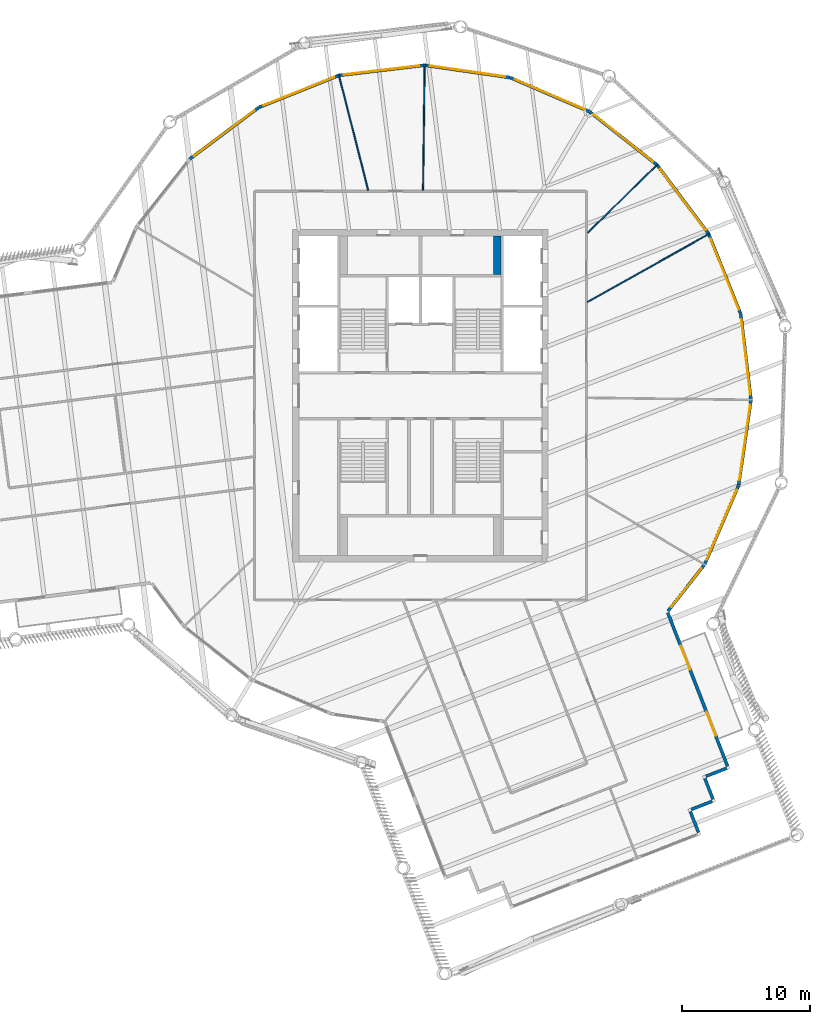
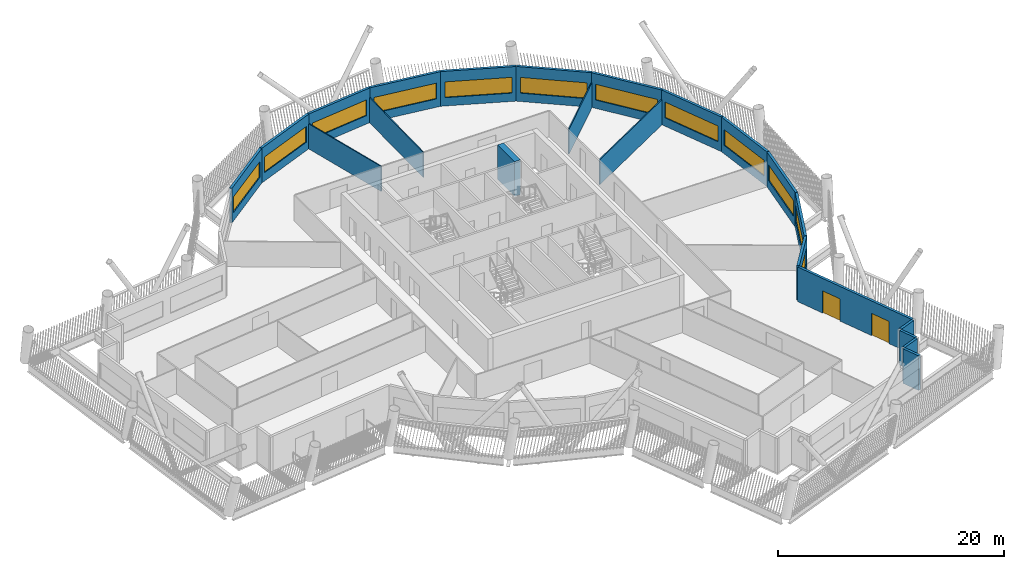
# One storey, part 6 of 20: 22 walls, 12 windows, 2 doors, 14 openings.
"""IFC4 building model written with IfcOpenShell, lengths in metres."""

import ifcopenshell
import ifcopenshell.guid

model = None  # the IFC model being written
_history = None  # IfcOwnerHistory: only IFC2X3 demands one
_inside = {}  # id of a spatial element -> (the spatial element, [elements in it])
_under = {}  # id of a project, library or spatial element -> (it, [spatial elements below it])
_declared = {}  # id of a project -> (the project, [libraries it declares])
_typed = {}  # id of a type object -> (the type object, [elements of that type])
_made_of = {}  # id of a material, layer set ... -> (it, [elements and type objects made of it])


def new_model(schema):
    """Start an empty IFC model of exactly this schema.

    Asked for "IFC4X3", IfcOpenShell would pick the latest addendum, in which some entities
    have other attributes; the version numbers below select the first issue.
    IFC2X3 requires an IfcOwnerHistory on every rooted entity: one is made here for all.
    """
    global model, _history
    if schema == "IFC4X3":
        model = ifcopenshell.file(schema_version=(4, 3, 0, 0))
    else:
        model = ifcopenshell.file(schema=schema)
    _inside.clear()
    _under.clear()
    _declared.clear()
    _typed.clear()
    _made_of.clear()
    _history = None
    if model.schema == "IFC2X3":
        org = make("IfcOrganization", Name="unknown")
        user = make(
            "IfcPersonAndOrganization",
            ThePerson=make("IfcPerson", FamilyName="unknown"),
            TheOrganization=org,
        )
        app = make(
            "IfcApplication",
            ApplicationDeveloper=org,
            Version="unknown",
            ApplicationFullName="unknown",
            ApplicationIdentifier="unknown",
        )
        _history = make(
            "IfcOwnerHistory",
            OwningUser=user,
            OwningApplication=app,
            ChangeAction="ADDED",
            CreationDate=0,
        )
    return model


def make(cls, **values):
    """One entity of the class cls with the attributes given. An attribute that is None is left unset."""
    return model.create_entity(
        cls, **{name: value for name, value in values.items() if value is not None}
    )


def rooted(cls, **values):
    """An entity with a GlobalId (a new one), such as an element, a storey or a relation."""
    return make(cls, GlobalId=ifcopenshell.guid.new(), OwnerHistory=_history, **values)


def si_unit(unit_type, name, prefix=None):
    """IfcSIUnit, for example si_unit("LENGTHUNIT", "METRE", prefix="MILLI")."""
    return make("IfcSIUnit", UnitType=unit_type, Prefix=prefix, Name=name)


def assignment(units):
    """IfcUnitAssignment: the units of a project."""
    return None if units is None else make("IfcUnitAssignment", Units=units)


def point(xyz):
    """IfcCartesianPoint."""
    return None if xyz is None else make("IfcCartesianPoint", Coordinates=xyz)


def direction(xyz):
    """IfcDirection."""
    return None if xyz is None else make("IfcDirection", DirectionRatios=xyz)


def frame(location, z_axis=None, x_axis=None):
    """IfcAxis2Placement3D, a coordinate frame: its origin and axes. An axis left out is left unset."""
    return make(
        "IfcAxis2Placement3D",
        Location=point(location),
        Axis=direction(z_axis),
        RefDirection=direction(x_axis),
    )


def frame_2d(location, x_axis=None):
    """IfcAxis2Placement2D, a coordinate frame in the plane: its origin and x axis."""
    return make(
        "IfcAxis2Placement2D", Location=point(location), RefDirection=direction(x_axis)
    )


def origin():
    """The frame at (0, 0, 0) with its axes left unset."""
    return frame((0.0, 0.0, 0.0))


def place(relative_to, where):
    """IfcLocalPlacement: puts the frame where relative to a parent placement (None: the world)."""
    return make(
        "IfcLocalPlacement", PlacementRelTo=relative_to, RelativePlacement=where
    )


def context(
    kind, dimensions, precision=None, world=None, true_north=None, identifier=None
):
    """IfcGeometricRepresentationContext, for example the 3D "Model" context."""
    return make(
        "IfcGeometricRepresentationContext",
        ContextIdentifier=identifier,
        ContextType=kind,
        CoordinateSpaceDimension=dimensions,
        Precision=precision,
        WorldCoordinateSystem=world,
        TrueNorth=true_north,
    )


def subcontext(parent, identifier, kind, view, scale=None):
    """IfcGeometricRepresentationSubContext, for example "Body" below "Model"."""
    return make(
        "IfcGeometricRepresentationSubContext",
        ContextIdentifier=identifier,
        ContextType=kind,
        ParentContext=parent,
        TargetScale=scale,
        TargetView=view,
    )


def project(units=None, contexts=None):
    """IfcProject with its units and contexts."""
    return rooted(
        "IfcProject",
        Name="project",
        RepresentationContexts=contexts,
        UnitsInContext=assignment(units),
    )


def spatial(cls, under=None, at=None, **own):
    """A site, building, storey or space (cls), placed at a placement, below another one or the project."""
    s = rooted(cls, ObjectPlacement=at, **own)
    if under is not None:
        _under.setdefault(under.id(), (under, []))[1].append(s)
    return s


def profile(cls, at=None, kind="AREA", **sizes):
    """A parametric profile (cls). Its sizes go by their IFC names, for example OverallWidth=200.0."""
    return make(cls, ProfileType=kind, Position=at, **sizes)


def rectangle(**sizes):
    """IfcRectangleProfileDef."""
    return profile("IfcRectangleProfileDef", **sizes)


def extrude(swept, where, along, depth):
    """IfcExtrudedAreaSolid: the profile swept, set in the frame where, extruded along a direction by depth."""
    return make(
        "IfcExtrudedAreaSolid",
        SweptArea=swept,
        Position=where,
        ExtrudedDirection=direction(along),
        Depth=depth,
    )


def shape(context_of_items, identifier, shape_type, items):
    """IfcShapeRepresentation: the items that make up one representation, for example the "Body"."""
    return make(
        "IfcShapeRepresentation",
        ContextOfItems=context_of_items,
        RepresentationIdentifier=identifier,
        RepresentationType=shape_type,
        Items=items,
    )


def material(Name=None, Category=None):
    """IfcMaterial."""
    return make("IfcMaterial", Name=Name, Category=Category)


def layer(
    of_material, thickness, ventilated=None, Name=None, Category=None, Priority=None
):
    """IfcMaterialLayer: one layer of a wall or slab, of a material (None: an air gap)."""
    return make(
        "IfcMaterialLayer",
        Material=of_material,
        LayerThickness=thickness,
        IsVentilated=ventilated,
        Name=Name,
        Category=Category,
        Priority=Priority,
    )


def layer_set(layers, Name=None):
    """IfcMaterialLayerSet."""
    return make("IfcMaterialLayerSet", MaterialLayers=layers, LayerSetName=Name)


def made_of(thing, what):
    """Note that an element or type object is made of a material, layer set ...; save() writes the relation."""
    if what is not None:
        _made_of.setdefault(what.id(), (what, []))[1].append(thing)
    return thing


def type_object(cls, material=None, **own):
    """A type object (cls), such as IfcWallType, which elements share."""
    return made_of(rooted(cls, **own), material)


def element(
    cls,
    number,
    at=None,
    inside=None,
    cuts=None,
    type_object=None,
    material=None,
    context=None,
    identifier="Body",
    shape_type=None,
    held_by="IfcProductDefinitionShape",
    body=None,
    shapes=None,
    **own,
):
    """One element of the class cls, such as IfcWall. Its Tag is "e" and its number.

    at: its placement. inside: the storey or other place that contains it. cuts: it is an
    opening in that element (IfcRelVoidsElement). A single representation is given by context,
    identifier, shape_type and body (its items); several are given by shapes. held_by: the class
    of the entity that holds the representations. save() writes the other relations.
    """
    e = rooted(cls, Tag="e%d" % number, ObjectPlacement=at, **own)
    if body is not None:
        shapes = [shape(context, identifier, shape_type, body)]
    if shapes is not None:
        e.Representation = make(held_by, Representations=shapes)
    if inside is not None:
        _inside.setdefault(inside.id(), (inside, []))[1].append(e)
    if cuts is not None:
        rooted(
            "IfcRelVoidsElement", RelatingBuildingElement=cuts, RelatedOpeningElement=e
        )
    if type_object is not None:
        _typed.setdefault(type_object.id(), (type_object, []))[1].append(e)
    return made_of(e, material)


def fill(opening, filler):
    """IfcRelFillsElement: the door or window that sits in an opening."""
    return rooted(
        "IfcRelFillsElement",
        RelatingOpeningElement=opening,
        RelatedBuildingElement=filler,
    )


def aggregate(whole, parts):
    """IfcRelAggregates: a whole, such as a stair, and the parts it consists of."""
    return rooted("IfcRelAggregates", RelatingObject=whole, RelatedObjects=parts)


def save(model, path):
    """Write the relations noted so far, then the file.

    IfcRelAggregates (storeys below a building ...), IfcRelContainedInSpatialStructure (elements
    in a storey), IfcRelDefinesByType, IfcRelAssociatesMaterial and IfcRelDeclares: one each for
    every whole, place, type object, material and project.
    """
    for whole, parts in _under.values():
        aggregate(whole, parts)
    for where, things in _inside.values():
        rooted(
            "IfcRelContainedInSpatialStructure",
            RelatedElements=things,
            RelatingStructure=where,
        )
    for kind, things in _typed.values():
        rooted("IfcRelDefinesByType", RelatedObjects=things, RelatingType=kind)
    for what, things in _made_of.values():
        rooted("IfcRelAssociatesMaterial", RelatedObjects=things, RelatingMaterial=what)
    for by, libraries in _declared.values():
        rooted("IfcRelDeclares", RelatingContext=by, RelatedDefinitions=libraries)
    model.write(path)


model = new_model("IFC4")

# Units and contexts
model_context = context("Model", 3, precision=1e-05, world=origin(), true_north=direction((0.0, 1.0)))
body_context = subcontext(model_context, "Body", "Model", "MODEL_VIEW")
ifc_project = project(units=[si_unit("LENGTHUNIT", "METRE"), si_unit("AREAUNIT", "SQUARE_METRE"), si_unit("VOLUMEUNIT", "CUBIC_METRE"), si_unit("PLANEANGLEUNIT", "RADIAN"), si_unit("MASSUNIT", "GRAM", prefix="KILO")], contexts=[model_context])

# Site, building, storey
site_placement = place(None, origin())
site = spatial("IfcSite", under=ifc_project, at=site_placement, CompositionType="ELEMENT")
building_placement = place(site_placement, origin())
building = spatial("IfcBuilding", under=site, at=building_placement, Name="Tarsis Ring Headquarters", CompositionType="ELEMENT")
storey_placement = place(building_placement, frame((0.0, 0.0, 315.800048828125)))
storey = spatial("IfcBuildingStorey", under=building, at=storey_placement, Name="L74", CompositionType="ELEMENT", Elevation=315.800048828125)

# Walls
ifc_material_1 = material(Name="Gypsum board on steel studs", Category="steel")
ifc_layer_1 = layer(ifc_material_1, 0.10009765625)
ifc_layer_set_1 = layer_set([ifc_layer_1], Name="FL partition 100 unrated")
wall_type_1 = type_object("IfcWallType", Name="FL partition 100 unrated", PredefinedType="PARTITIONING", material=ifc_layer_set_1)
wall_1_placement = place(storey_placement, frame((13.07861328125, 7.333251953125, 0.0), z_axis=(0.0, 0.0, 1.0), x_axis=(0.872240216113, 0.489077708953, 0.0)))
element("IfcWall", 1, at=wall_1_placement, inside=storey, type_object=wall_type_1, Name="Partition PW3", PredefinedType="PARTITIONING", context=body_context, shape_type="SweptSolid", body=[
    extrude(rectangle(XDim=10.95361328125, YDim=0.10009765625, at=frame_2d((5.476806640625, 0.0))), origin(), (0.0, 0.0, 1.0), 2.699951171875),
])
wall_2_placement = place(storey_placement, frame((0.201904296875, 16.070068359375, 0.0), z_axis=(0.0, 0.0, 1.0), x_axis=(0.012582129206, 0.999920841879, 0.0)))
element("IfcWall", 2, at=wall_2_placement, inside=storey, type_object=wall_type_1, Name="Partition PW3", PredefinedType="PARTITIONING", context=body_context, shape_type="SweptSolid", body=[
    extrude(rectangle(XDim=9.87646484375, YDim=0.10009765625, at=frame_2d((4.938232421875, 0.0))), origin(), (0.0, 0.0, 1.0), 2.699951171875),
])
wall_3_placement = place(storey_placement, frame((-6.400390625, 25.14599609375, 0.0), z_axis=(0.0, 0.0, 1.0), x_axis=(0.246678835611, -0.969097287202, 0.0)))
element("IfcWall", 3, at=wall_3_placement, inside=storey, type_object=wall_type_1, Name="Partition PW3", PredefinedType="PARTITIONING", context=body_context, shape_type="SweptSolid", body=[
    extrude(rectangle(XDim=9.36767578125, YDim=0.10009765625, at=frame_2d((4.683837890625, 0.0))), origin(), (0.0, 0.0, 1.0), 2.699951171875),
])
wall_4_placement = place(storey_placement, frame((13.0859375, 12.760986328125, 0.0), z_axis=(0.0, 0.0, 1.0), x_axis=(0.715916206475, 0.698186211054, 0.0)))
element("IfcWall", 4, at=wall_4_placement, inside=storey, type_object=wall_type_1, Name="Partition PW3", PredefinedType="PARTITIONING", context=body_context, shape_type="SweptSolid", body=[
    extrude(rectangle(XDim=7.669921875, YDim=0.10009765625, at=frame_2d((3.8349609375, 0.0))), origin(), (0.0, 0.0, 1.0), 2.699951171875),
])
ifc_material_2 = material(Name="Terracotta clad insulated panel wall", Category="masonry")
ifc_layer_2 = layer(ifc_material_2, 0.25)
ifc_layer_set_2 = layer_set([ifc_layer_2], Name="Facade wall terracotta panel 250")
wall_type_2 = type_object("IfcWallType", Name="Facade wall terracotta panel 250", PredefinedType="STANDARD", material=ifc_layer_set_2)
for number, where, z_axis, x_axis, name in (
    (5, (21.764404296875, -34.181640625, 0.0), (0.0, 0.0, 1.0), (-0.363004983999, 0.93178719759, 0.0), "External wall L74-12"),
    (6, (21.200439453125, -32.38916015625, 0.0), (0.0, 0.0, 1.0), (0.931834380437, 0.362883848408, 0.0), "External wall L74-13"),
    (7, (22.902099609375, -31.59228515625, 0.0), (0.0, 0.0, 1.0), (-0.362883848408, 0.931834380437, 0.0), "External wall L74-14"),
    (8, (22.338134765625, -29.7998046875, 0.0), (0.0, 0.0, 1.0), (0.93178719759, 0.363004983999, 0.0), "External wall L74-15"),
):
    element("IfcWall", number, at=place(storey_placement, frame(where, z_axis=z_axis, x_axis=x_axis)), inside=storey, type_object=wall_type_2, Name=name, PredefinedType="STANDARD", context=body_context, shape_type="SweptSolid", body=[
        extrude(rectangle(XDim=1.75, YDim=0.25, at=frame_2d((0.875, 0.0))), origin(), (0.0, 0.0, 1.0), 3.739990234375),
    ])

# Wall, openings, doors
wall_5_placement = place(storey_placement, frame((24.0400390625, -29.002685546875, 0.0), z_axis=(0.0, 0.0, 1.0), x_axis=(-0.362941173618, 0.931812054275, 0.0)))
wall_5 = element("IfcWall", 9, at=wall_5_placement, inside=storey, type_object=wall_type_2, Name="External wall L74-16", PredefinedType="STANDARD", context=body_context, shape_type="SweptSolid", body=[
    extrude(rectangle(XDim=12.901123046875, YDim=0.25, at=frame_2d((6.45068359375, 0.0))), origin(), (0.0, 0.0, 1.0), 3.739990234375),
])
opening_1_placement = place(wall_5_placement, frame((2.550048828125, 0.0, 0.0)))
opening_1 = element("IfcOpeningElement", 10, at=opening_1_placement, cuts=wall_5, Name="Opening L74-BD03", PredefinedType="OPENING", context=body_context, shape_type="SweptSolid", body=[
    extrude(rectangle(XDim=2.0, YDim=2.39990234375, at=frame_2d((1.0, 1.199951171875))), frame((0.0, 0.135009765625, 0.0), z_axis=(0.0, -1.0, 0.0), x_axis=(1.0, 0.0, 0.0)), (0.0, 0.0, 1.0), 0.27001953125),
])
opening_2_placement = place(wall_5_placement, frame((8.101318359375, 0.0, 0.0)))
opening_2 = element("IfcOpeningElement", 11, at=opening_2_placement, cuts=wall_5, Name="Opening L74-BD04", PredefinedType="OPENING", context=body_context, shape_type="SweptSolid", body=[
    extrude(rectangle(XDim=2.0, YDim=2.39990234375, at=frame_2d((1.0, 1.199951171875))), frame((0.0, 0.135009765625, 0.0), z_axis=(0.0, -1.0, 0.0), x_axis=(1.0, 0.0, 0.0)), (0.0, 0.0, 1.0), 0.27001953125),
])
ifc_material_3 = material(Name="Aluminium framed double glazing", Category="aluminium")
door_type = type_object("IfcDoorType", Name="Balcony sliding door 2000 x 2400", OperationType="SLIDING_TO_LEFT", PredefinedType="DOOR", material=ifc_material_3)
door_1_placement = place(opening_1_placement, origin())
door_1 = element("IfcDoor", 12, at=door_1_placement, inside=storey, type_object=door_type, Name="Door L74-BD03", OperationType="SINGLE_SWING_LEFT", OverallHeight=2.39990234375, OverallWidth=2.0, PredefinedType="DOOR", context=body_context, shape_type="SweptSolid", body=[
    extrude(rectangle(XDim=2.0, YDim=2.39990234375, at=frame_2d((1.0, 1.199951171875))), frame((0.0, 0.02490234375, 0.0), z_axis=(0.0, -1.0, 0.0), x_axis=(1.0, 0.0, 0.0)), (0.0, 0.0, 1.0), 0.050048828125),
])
fill(opening_1, door_1)
door_2_placement = place(opening_2_placement, origin())
door_2 = element("IfcDoor", 13, at=door_2_placement, inside=storey, type_object=door_type, Name="Door L74-BD04", OperationType="SINGLE_SWING_LEFT", OverallHeight=2.39990234375, OverallWidth=2.0, PredefinedType="DOOR", context=body_context, shape_type="SweptSolid", body=[
    extrude(rectangle(XDim=2.0, YDim=2.39990234375, at=frame_2d((1.0, 1.199951171875))), frame((0.0, 0.02490234375, 0.0), z_axis=(0.0, -1.0, 0.0), x_axis=(1.0, 0.0, 0.0)), (0.0, 0.0, 1.0), 0.050048828125),
])
fill(opening_2, door_2)

# Wall, opening, window
wall_6_placement = place(storey_placement, frame((19.3759765625, -16.8583984375, 0.0), z_axis=(0.0, 0.0, 1.0), x_axis=(0.618680439669, 0.785642739145, 0.0)))
wall_6 = element("IfcWall", 14, at=wall_6_placement, inside=storey, type_object=wall_type_2, Name="External wall L74-17", PredefinedType="STANDARD", context=body_context, shape_type="SweptSolid", body=[
    extrude(rectangle(XDim=4.61767578125, YDim=0.25, at=frame_2d((2.308837890625, 0.0))), origin(), (0.0, 0.0, 1.0), 3.739990234375),
])
opening_3_placement = place(wall_6_placement, frame((0.400390625, 0.0, 0.89990234375)))
opening_3 = element("IfcOpeningElement", 15, at=opening_3_placement, cuts=wall_6, Name="Opening WN02", PredefinedType="OPENING", context=body_context, shape_type="SweptSolid", body=[
    extrude(rectangle(XDim=3.85009765625, YDim=1.699951171875, at=frame_2d((1.925048828125, 0.85009765625))), frame((0.0, 0.135009765625, 0.0), z_axis=(0.0, -1.0, 0.0), x_axis=(1.0, 0.0, 0.0)), (0.0, 0.0, 1.0), 0.27001953125),
])
window_type_1 = type_object("IfcWindowType", Name="Facade window 3850 x 1700", PartitioningType="SINGLE_PANEL", PredefinedType="WINDOW", material=ifc_material_3)
window_1_placement = place(opening_3_placement, origin())
window_1 = element("IfcWindow", 16, at=window_1_placement, inside=storey, type_object=window_type_1, Name="Window L74-17.1", OverallHeight=1.699951171875, OverallWidth=3.85009765625, PartitioningType="SINGLE_PANEL", PredefinedType="WINDOW", context=body_context, shape_type="SweptSolid", body=[
    extrude(rectangle(XDim=3.85009765625, YDim=1.699951171875, at=frame_2d((1.925048828125, 0.85009765625))), frame((0.0, 0.030029296875, 0.0), z_axis=(0.0, -1.0, 0.0), x_axis=(1.0, 0.0, 0.0)), (0.0, 0.0, 1.0), 0.06005859375),
])
fill(opening_3, window_1)

wall_7_placement = place(storey_placement, frame((22.24951171875, -13.202392578125, 0.0), z_axis=(0.0, 0.0, 1.0), x_axis=(0.394278734128, 0.91899090301, 0.0)))
wall_7 = element("IfcWall", 17, at=wall_7_placement, inside=storey, type_object=wall_type_2, Name="External wall L74-18", PredefinedType="STANDARD", context=body_context, shape_type="SweptSolid", body=[
    extrude(rectangle(XDim=6.721435546875, YDim=0.25, at=frame_2d((3.36083984375, 0.0))), origin(), (0.0, 0.0, 1.0), 3.739990234375),
])
opening_4_placement = place(wall_7_placement, frame((0.3857421875, 0.0, 0.89990234375)))
opening_4 = element("IfcOpeningElement", 18, at=opening_4_placement, cuts=wall_7, Name="Opening WN07", PredefinedType="OPENING", context=body_context, shape_type="SweptSolid", body=[
    extrude(rectangle(XDim=5.949951171875, YDim=1.699951171875, at=frame_2d((2.97509765625, 0.85009765625))), frame((0.0, 0.135009765625, 0.0), z_axis=(0.0, -1.0, 0.0), x_axis=(1.0, 0.0, 0.0)), (0.0, 0.0, 1.0), 0.27001953125),
])
window_type_2 = type_object("IfcWindowType", Name="Facade window 5950 x 1700", PartitioningType="SINGLE_PANEL", PredefinedType="WINDOW", material=ifc_material_3)
window_2_placement = place(opening_4_placement, origin())
window_2 = element("IfcWindow", 19, at=window_2_placement, inside=storey, type_object=window_type_2, Name="Window L74-18.1", OverallHeight=1.699951171875, OverallWidth=5.949951171875, PartitioningType="SINGLE_PANEL", PredefinedType="WINDOW", context=body_context, shape_type="SweptSolid", body=[
    extrude(rectangle(XDim=5.949951171875, YDim=1.699951171875, at=frame_2d((2.97509765625, 0.85009765625))), frame((0.0, 0.030029296875, 0.0), z_axis=(0.0, -1.0, 0.0), x_axis=(1.0, 0.0, 0.0)), (0.0, 0.0, 1.0), 0.06005859375),
])
fill(opening_4, window_2)

wall_8_placement = place(storey_placement, frame((24.908447265625, -6.993896484375, 0.0), z_axis=(0.0, 0.0, 1.0), x_axis=(0.142997527642, 0.989723045649, 0.0)))
wall_8 = element("IfcWall", 20, at=wall_8_placement, inside=storey, type_object=wall_type_2, Name="External wall L74-19", PredefinedType="STANDARD", context=body_context, shape_type="SweptSolid", body=[
    extrude(rectangle(XDim=6.7216796875, YDim=0.25, at=frame_2d((3.36083984375, 0.0))), origin(), (0.0, 0.0, 1.0), 3.739990234375),
])
opening_5_placement = place(wall_8_placement, frame((0.3857421875, 0.0, 0.89990234375)))
opening_5 = element("IfcOpeningElement", 21, at=opening_5_placement, cuts=wall_8, Name="Opening WN07", PredefinedType="OPENING", context=body_context, shape_type="SweptSolid", body=[
    extrude(rectangle(XDim=5.949951171875, YDim=1.699951171875, at=frame_2d((2.97509765625, 0.85009765625))), frame((0.0, 0.135009765625, 0.0), z_axis=(0.0, -1.0, 0.0), x_axis=(1.0, 0.0, 0.0)), (0.0, 0.0, 1.0), 0.27001953125),
])
window_3_placement = place(opening_5_placement, origin())
window_3 = element("IfcWindow", 22, at=window_3_placement, inside=storey, type_object=window_type_2, Name="Window L74-19.1", OverallHeight=1.699951171875, OverallWidth=5.949951171875, PartitioningType="SINGLE_PANEL", PredefinedType="WINDOW", context=body_context, shape_type="SweptSolid", body=[
    extrude(rectangle(XDim=5.949951171875, YDim=1.699951171875, at=frame_2d((2.97509765625, 0.85009765625))), frame((0.0, 0.030029296875, 0.0), z_axis=(0.0, -1.0, 0.0), x_axis=(1.0, 0.0, 0.0)), (0.0, 0.0, 1.0), 0.06005859375),
])
fill(opening_5, window_3)

wall_9_placement = place(storey_placement, frame((25.869873046875, -0.308837890625, 0.0), z_axis=(0.0, 0.0, 1.0), x_axis=(-0.118046606714, 0.993008055679, 0.0)))
wall_9 = element("IfcWall", 23, at=wall_9_placement, inside=storey, type_object=wall_type_2, Name="External wall L74-20", PredefinedType="STANDARD", context=body_context, shape_type="SweptSolid", body=[
    extrude(rectangle(XDim=6.721435546875, YDim=0.25, at=frame_2d((3.36083984375, 0.0))), origin(), (0.0, 0.0, 1.0), 3.739990234375),
])
opening_6_placement = place(wall_9_placement, frame((0.3857421875, 0.0, 0.89990234375)))
opening_6 = element("IfcOpeningElement", 24, at=opening_6_placement, cuts=wall_9, Name="Opening WN07", PredefinedType="OPENING", context=body_context, shape_type="SweptSolid", body=[
    extrude(rectangle(XDim=5.949951171875, YDim=1.699951171875, at=frame_2d((2.97509765625, 0.85009765625))), frame((0.0, 0.135009765625, 0.0), z_axis=(0.0, -1.0, 0.0), x_axis=(1.0, 0.0, 0.0)), (0.0, 0.0, 1.0), 0.27001953125),
])
window_4_placement = place(opening_6_placement, origin())
window_4 = element("IfcWindow", 25, at=window_4_placement, inside=storey, type_object=window_type_2, Name="Window L74-20.1", OverallHeight=1.699951171875, OverallWidth=5.949951171875, PartitioningType="SINGLE_PANEL", PredefinedType="WINDOW", context=body_context, shape_type="SweptSolid", body=[
    extrude(rectangle(XDim=5.949951171875, YDim=1.699951171875, at=frame_2d((2.97509765625, 0.85009765625))), frame((0.0, 0.030029296875, 0.0), z_axis=(0.0, -1.0, 0.0), x_axis=(1.0, 0.0, 0.0)), (0.0, 0.0, 1.0), 0.06005859375),
])
fill(opening_6, window_4)

wall_10_placement = place(storey_placement, frame((25.068359375, 6.3974609375, 0.0), z_axis=(0.0, 0.0, 1.0), x_axis=(-0.371033687032, 0.928619407016, 0.0)))
wall_10 = element("IfcWall", 26, at=wall_10_placement, inside=storey, type_object=wall_type_2, Name="External wall L74-21", PredefinedType="STANDARD", context=body_context, shape_type="SweptSolid", body=[
    extrude(rectangle(XDim=6.721435546875, YDim=0.25, at=frame_2d((3.36083984375, 0.0))), origin(), (0.0, 0.0, 1.0), 3.739990234375),
])
opening_7_placement = place(wall_10_placement, frame((0.3857421875, 0.0, 0.89990234375)))
opening_7 = element("IfcOpeningElement", 27, at=opening_7_placement, cuts=wall_10, Name="Opening WN07", PredefinedType="OPENING", context=body_context, shape_type="SweptSolid", body=[
    extrude(rectangle(XDim=5.949951171875, YDim=1.699951171875, at=frame_2d((2.97509765625, 0.85009765625))), frame((0.0, 0.135009765625, 0.0), z_axis=(0.0, -1.0, 0.0), x_axis=(1.0, 0.0, 0.0)), (0.0, 0.0, 1.0), 0.27001953125),
])
window_5_placement = place(opening_7_placement, origin())
window_5 = element("IfcWindow", 28, at=window_5_placement, inside=storey, type_object=window_type_2, Name="Window L74-21.1", OverallHeight=1.699951171875, OverallWidth=5.949951171875, PartitioningType="SINGLE_PANEL", PredefinedType="WINDOW", context=body_context, shape_type="SweptSolid", body=[
    extrude(rectangle(XDim=5.949951171875, YDim=1.699951171875, at=frame_2d((2.97509765625, 0.85009765625))), frame((0.0, 0.030029296875, 0.0), z_axis=(0.0, -1.0, 0.0), x_axis=(1.0, 0.0, 0.0)), (0.0, 0.0, 1.0), 0.06005859375),
])
fill(opening_7, window_5)

wall_11_placement = place(storey_placement, frame((22.558349609375, 12.66748046875, 0.0), z_axis=(0.0, 0.0, 1.0), x_axis=(-0.598738141401, 0.800944840817, 0.0)))
wall_11 = element("IfcWall", 29, at=wall_11_placement, inside=storey, type_object=wall_type_2, Name="External wall L74-22", PredefinedType="STANDARD", context=body_context, shape_type="SweptSolid", body=[
    extrude(rectangle(XDim=6.721435546875, YDim=0.25, at=frame_2d((3.36083984375, 0.0))), origin(), (0.0, 0.0, 1.0), 3.739990234375),
])
opening_8_placement = place(wall_11_placement, frame((0.3857421875, 0.0, 0.89990234375)))
opening_8 = element("IfcOpeningElement", 30, at=opening_8_placement, cuts=wall_11, Name="Opening WN07", PredefinedType="OPENING", context=body_context, shape_type="SweptSolid", body=[
    extrude(rectangle(XDim=5.949951171875, YDim=1.699951171875, at=frame_2d((2.97509765625, 0.85009765625))), frame((0.0, 0.135009765625, 0.0), z_axis=(0.0, -1.0, 0.0), x_axis=(1.0, 0.0, 0.0)), (0.0, 0.0, 1.0), 0.27001953125),
])
window_6_placement = place(opening_8_placement, origin())
window_6 = element("IfcWindow", 31, at=window_6_placement, inside=storey, type_object=window_type_2, Name="Window L74-22.1", OverallHeight=1.699951171875, OverallWidth=5.949951171875, PartitioningType="SINGLE_PANEL", PredefinedType="WINDOW", context=body_context, shape_type="SweptSolid", body=[
    extrude(rectangle(XDim=5.949951171875, YDim=1.699951171875, at=frame_2d((2.97509765625, 0.85009765625))), frame((0.0, 0.030029296875, 0.0), z_axis=(0.0, -1.0, 0.0), x_axis=(1.0, 0.0, 0.0)), (0.0, 0.0, 1.0), 0.06005859375),
])
fill(opening_8, window_6)

wall_12_placement = place(storey_placement, frame((18.51123046875, 18.074462890625, 0.0), z_axis=(0.0, 0.0, 1.0), x_axis=(-0.785647348854, 0.6186745859, 0.0)))
wall_12 = element("IfcWall", 32, at=wall_12_placement, inside=storey, type_object=wall_type_2, Name="External wall L74-23", PredefinedType="STANDARD", context=body_context, shape_type="SweptSolid", body=[
    extrude(rectangle(XDim=6.721435546875, YDim=0.25, at=frame_2d((3.36083984375, 0.0))), origin(), (0.0, 0.0, 1.0), 3.739990234375),
])
opening_9_placement = place(wall_12_placement, frame((0.3857421875, 0.0, 0.89990234375)))
opening_9 = element("IfcOpeningElement", 33, at=opening_9_placement, cuts=wall_12, Name="Opening WN07", PredefinedType="OPENING", context=body_context, shape_type="SweptSolid", body=[
    extrude(rectangle(XDim=5.949951171875, YDim=1.699951171875, at=frame_2d((2.97509765625, 0.85009765625))), frame((0.0, 0.135009765625, 0.0), z_axis=(0.0, -1.0, 0.0), x_axis=(1.0, 0.0, 0.0)), (0.0, 0.0, 1.0), 0.27001953125),
])
window_7_placement = place(opening_9_placement, origin())
window_7 = element("IfcWindow", 34, at=window_7_placement, inside=storey, type_object=window_type_2, Name="Window L74-23.1", OverallHeight=1.699951171875, OverallWidth=5.949951171875, PartitioningType="SINGLE_PANEL", PredefinedType="WINDOW", context=body_context, shape_type="SweptSolid", body=[
    extrude(rectangle(XDim=5.949951171875, YDim=1.699951171875, at=frame_2d((2.97509765625, 0.85009765625))), frame((0.0, 0.030029296875, 0.0), z_axis=(0.0, -1.0, 0.0), x_axis=(1.0, 0.0, 0.0)), (0.0, 0.0, 1.0), 0.06005859375),
])
fill(opening_9, window_7)

wall_13_placement = place(storey_placement, frame((13.202392578125, 22.24951171875, 0.0), z_axis=(0.0, 0.0, 1.0), x_axis=(-0.91899090301, 0.394278734128, 0.0)))
wall_13 = element("IfcWall", 35, at=wall_13_placement, inside=storey, type_object=wall_type_2, Name="External wall L74-24", PredefinedType="STANDARD", context=body_context, shape_type="SweptSolid", body=[
    extrude(rectangle(XDim=6.721435546875, YDim=0.25, at=frame_2d((3.36083984375, 0.0))), origin(), (0.0, 0.0, 1.0), 3.739990234375),
])
opening_10_placement = place(wall_13_placement, frame((0.3857421875, 0.0, 0.89990234375)))
opening_10 = element("IfcOpeningElement", 36, at=opening_10_placement, cuts=wall_13, Name="Opening WN07", PredefinedType="OPENING", context=body_context, shape_type="SweptSolid", body=[
    extrude(rectangle(XDim=5.949951171875, YDim=1.699951171875, at=frame_2d((2.97509765625, 0.85009765625))), frame((0.0, 0.135009765625, 0.0), z_axis=(0.0, -1.0, 0.0), x_axis=(1.0, 0.0, 0.0)), (0.0, 0.0, 1.0), 0.27001953125),
])
window_8_placement = place(opening_10_placement, origin())
window_8 = element("IfcWindow", 37, at=window_8_placement, inside=storey, type_object=window_type_2, Name="Window L74-24.1", OverallHeight=1.699951171875, OverallWidth=5.949951171875, PartitioningType="SINGLE_PANEL", PredefinedType="WINDOW", context=body_context, shape_type="SweptSolid", body=[
    extrude(rectangle(XDim=5.949951171875, YDim=1.699951171875, at=frame_2d((2.97509765625, 0.85009765625))), frame((0.0, 0.030029296875, 0.0), z_axis=(0.0, -1.0, 0.0), x_axis=(1.0, 0.0, 0.0)), (0.0, 0.0, 1.0), 0.06005859375),
])
fill(opening_10, window_8)

wall_14_placement = place(storey_placement, frame((6.993896484375, 24.908447265625, 0.0), z_axis=(0.0, 0.0, 1.0), x_axis=(-0.989723045649, 0.142997527642, 0.0)))
wall_14 = element("IfcWall", 38, at=wall_14_placement, inside=storey, type_object=wall_type_2, Name="External wall L74-25", PredefinedType="STANDARD", context=body_context, shape_type="SweptSolid", body=[
    extrude(rectangle(XDim=6.7216796875, YDim=0.25, at=frame_2d((3.36083984375, 0.0))), origin(), (0.0, 0.0, 1.0), 3.739990234375),
])
opening_11_placement = place(wall_14_placement, frame((0.3857421875, 0.0, 0.89990234375)))
opening_11 = element("IfcOpeningElement", 39, at=opening_11_placement, cuts=wall_14, Name="Opening WN07", PredefinedType="OPENING", context=body_context, shape_type="SweptSolid", body=[
    extrude(rectangle(XDim=5.949951171875, YDim=1.699951171875, at=frame_2d((2.97509765625, 0.85009765625))), frame((0.0, 0.135009765625, 0.0), z_axis=(0.0, -1.0, 0.0), x_axis=(1.0, 0.0, 0.0)), (0.0, 0.0, 1.0), 0.27001953125),
])
window_9_placement = place(opening_11_placement, origin())
window_9 = element("IfcWindow", 40, at=window_9_placement, inside=storey, type_object=window_type_2, Name="Window L74-25.1", OverallHeight=1.699951171875, OverallWidth=5.949951171875, PartitioningType="SINGLE_PANEL", PredefinedType="WINDOW", context=body_context, shape_type="SweptSolid", body=[
    extrude(rectangle(XDim=5.949951171875, YDim=1.699951171875, at=frame_2d((2.97509765625, 0.85009765625))), frame((0.0, 0.030029296875, 0.0), z_axis=(0.0, -1.0, 0.0), x_axis=(1.0, 0.0, 0.0)), (0.0, 0.0, 1.0), 0.06005859375),
])
fill(opening_11, window_9)

wall_15_placement = place(storey_placement, frame((0.308837890625, 25.869873046875, 0.0), z_axis=(0.0, 0.0, 1.0), x_axis=(-0.993008055679, -0.118046606714, 0.0)))
wall_15 = element("IfcWall", 41, at=wall_15_placement, inside=storey, type_object=wall_type_2, Name="External wall L74-26", PredefinedType="STANDARD", context=body_context, shape_type="SweptSolid", body=[
    extrude(rectangle(XDim=6.721435546875, YDim=0.25, at=frame_2d((3.36083984375, 0.0))), origin(), (0.0, 0.0, 1.0), 3.739990234375),
])
opening_12_placement = place(wall_15_placement, frame((0.3857421875, 0.0, 0.89990234375)))
opening_12 = element("IfcOpeningElement", 42, at=opening_12_placement, cuts=wall_15, Name="Opening WN07", PredefinedType="OPENING", context=body_context, shape_type="SweptSolid", body=[
    extrude(rectangle(XDim=5.949951171875, YDim=1.699951171875, at=frame_2d((2.97509765625, 0.85009765625))), frame((0.0, 0.135009765625, 0.0), z_axis=(0.0, -1.0, 0.0), x_axis=(1.0, 0.0, 0.0)), (0.0, 0.0, 1.0), 0.27001953125),
])
window_10_placement = place(opening_12_placement, origin())
window_10 = element("IfcWindow", 43, at=window_10_placement, inside=storey, type_object=window_type_2, Name="Window L74-26.1", OverallHeight=1.699951171875, OverallWidth=5.949951171875, PartitioningType="SINGLE_PANEL", PredefinedType="WINDOW", context=body_context, shape_type="SweptSolid", body=[
    extrude(rectangle(XDim=5.949951171875, YDim=1.699951171875, at=frame_2d((2.97509765625, 0.85009765625))), frame((0.0, 0.030029296875, 0.0), z_axis=(0.0, -1.0, 0.0), x_axis=(1.0, 0.0, 0.0)), (0.0, 0.0, 1.0), 0.06005859375),
])
fill(opening_12, window_10)

wall_16_placement = place(storey_placement, frame((-6.3974609375, 25.068359375, 0.0), z_axis=(0.0, 0.0, 1.0), x_axis=(-0.928619407016, -0.371033687032, 0.0)))
wall_16 = element("IfcWall", 44, at=wall_16_placement, inside=storey, type_object=wall_type_2, Name="External wall L74-27", PredefinedType="STANDARD", context=body_context, shape_type="SweptSolid", body=[
    extrude(rectangle(XDim=6.721435546875, YDim=0.25, at=frame_2d((3.36083984375, 0.0))), origin(), (0.0, 0.0, 1.0), 3.739990234375),
])
opening_13_placement = place(wall_16_placement, frame((0.3857421875, 0.0, 0.89990234375)))
opening_13 = element("IfcOpeningElement", 45, at=opening_13_placement, cuts=wall_16, Name="Opening WN07", PredefinedType="OPENING", context=body_context, shape_type="SweptSolid", body=[
    extrude(rectangle(XDim=5.949951171875, YDim=1.699951171875, at=frame_2d((2.97509765625, 0.85009765625))), frame((0.0, 0.135009765625, 0.0), z_axis=(0.0, -1.0, 0.0), x_axis=(1.0, 0.0, 0.0)), (0.0, 0.0, 1.0), 0.27001953125),
])
window_11_placement = place(opening_13_placement, origin())
window_11 = element("IfcWindow", 46, at=window_11_placement, inside=storey, type_object=window_type_2, Name="Window L74-27.1", OverallHeight=1.699951171875, OverallWidth=5.949951171875, PartitioningType="SINGLE_PANEL", PredefinedType="WINDOW", context=body_context, shape_type="SweptSolid", body=[
    extrude(rectangle(XDim=5.949951171875, YDim=1.699951171875, at=frame_2d((2.97509765625, 0.85009765625))), frame((0.0, 0.030029296875, 0.0), z_axis=(0.0, -1.0, 0.0), x_axis=(1.0, 0.0, 0.0)), (0.0, 0.0, 1.0), 0.06005859375),
])
fill(opening_13, window_11)

wall_17_placement = place(storey_placement, frame((-12.66748046875, 22.558349609375, 0.0), z_axis=(0.0, 0.0, 1.0), x_axis=(-0.800944840817, -0.598738141401, 0.0)))
wall_17 = element("IfcWall", 47, at=wall_17_placement, inside=storey, type_object=wall_type_2, Name="External wall L74-28", PredefinedType="STANDARD", context=body_context, shape_type="SweptSolid", body=[
    extrude(rectangle(XDim=6.721435546875, YDim=0.25, at=frame_2d((3.36083984375, 0.0))), origin(), (0.0, 0.0, 1.0), 3.739990234375),
])
opening_14_placement = place(wall_17_placement, frame((0.3857421875, 0.0, 0.89990234375)))
opening_14 = element("IfcOpeningElement", 48, at=opening_14_placement, cuts=wall_17, Name="Opening WN07", PredefinedType="OPENING", context=body_context, shape_type="SweptSolid", body=[
    extrude(rectangle(XDim=5.949951171875, YDim=1.699951171875, at=frame_2d((2.97509765625, 0.85009765625))), frame((0.0, 0.135009765625, 0.0), z_axis=(0.0, -1.0, 0.0), x_axis=(1.0, 0.0, 0.0)), (0.0, 0.0, 1.0), 0.27001953125),
])
window_12_placement = place(opening_14_placement, origin())
window_12 = element("IfcWindow", 49, at=window_12_placement, inside=storey, type_object=window_type_2, Name="Window L74-28.1", OverallHeight=1.699951171875, OverallWidth=5.949951171875, PartitioningType="SINGLE_PANEL", PredefinedType="WINDOW", context=body_context, shape_type="SweptSolid", body=[
    extrude(rectangle(XDim=5.949951171875, YDim=1.699951171875, at=frame_2d((2.97509765625, 0.85009765625))), frame((0.0, 0.030029296875, 0.0), z_axis=(0.0, -1.0, 0.0), x_axis=(1.0, 0.0, 0.0)), (0.0, 0.0, 1.0), 0.06005859375),
])
fill(opening_14, window_12)

# Wall
ifc_material_4 = material(Name="Concrete C32/40", Category="concrete")
ifc_layer_3 = layer(ifc_material_4, 0.60009765625)
ifc_layer_set_3 = layer_set([ifc_layer_3], Name="Shaft end wall 600 C32/40")
wall_type_3 = type_object("IfcWallType", Name="Shaft end wall 600 C32/40", PredefinedType="SOLIDWALL", material=ifc_layer_set_3)
wall_18_placement = place(storey_placement, frame((6.0, 9.5, 0.0), z_axis=(0.0, 0.0, 1.0), x_axis=(0.0, 1.0, 0.0)))
element("IfcWall", 50, at=wall_18_placement, inside=storey, type_object=wall_type_3, Name="Core shaft wall NNE2", PredefinedType="SOLIDWALL", context=body_context, shape_type="SweptSolid", body=[
    extrude(rectangle(XDim=3.0, YDim=0.60009765625, at=frame_2d((1.5, 0.0))), origin(), (0.0, 0.0, 1.0), 3.739990234375),
])

save(model, "model.ifc")
